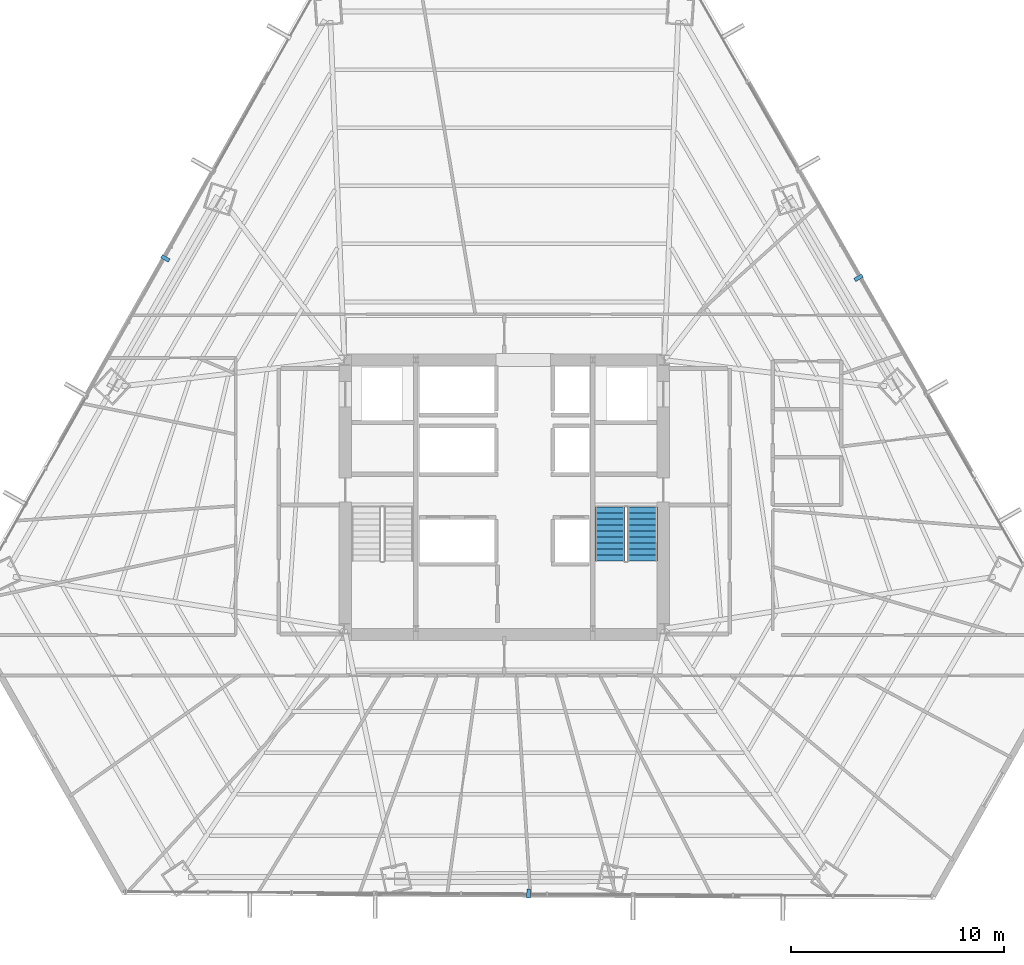
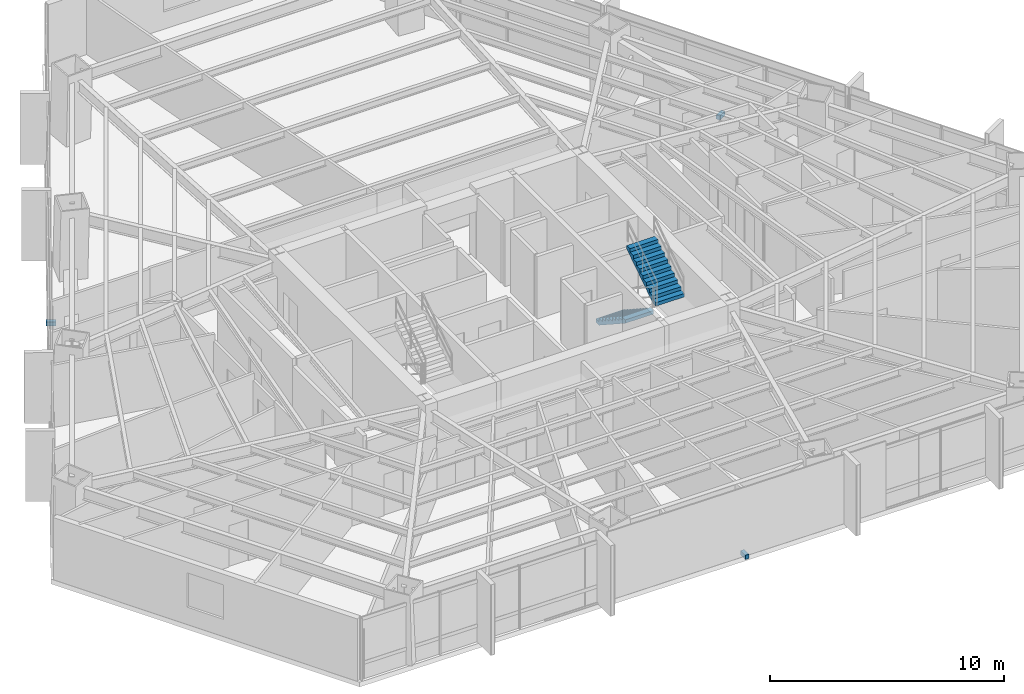
# One storey, part 36 of 39: 3 discrete accessories, 2 stair flights, 1 element without a shape of its own.
"""IFC4 building model written with IfcOpenShell, lengths in metres."""

from ifc_helpers import new_model, si_unit, direction, frame, origin, origin_2d, place, context, subcontext, project, spatial, polyline, rectangle, outline, extrude, source, transform, mapped, material, type_object, type_shapes, element, aggregate, save


model = new_model("IFC4")

# Units and contexts
model_context = context("Model", 3, precision=1e-05, world=origin(), true_north=direction((0.0, 1.0)))
body_context = subcontext(model_context, "Body", "Model", "MODEL_VIEW")
ifc_project = project(units=[si_unit("LENGTHUNIT", "METRE"), si_unit("AREAUNIT", "SQUARE_METRE"), si_unit("VOLUMEUNIT", "CUBIC_METRE"), si_unit("PLANEANGLEUNIT", "RADIAN"), si_unit("MASSUNIT", "GRAM", prefix="KILO")], contexts=[model_context])

# Site, building, storey
site_placement = place(None, origin())
site = spatial("IfcSite", under=ifc_project, at=site_placement, CompositionType="ELEMENT")
building_placement = place(site_placement, origin())
building = spatial("IfcBuilding", under=site, at=building_placement, Name="Caelisora Broadcast Tower", CompositionType="ELEMENT")
storey_placement = place(building_placement, frame((0.0, 0.0, 71.39990234375)))
storey = spatial("IfcBuildingStorey", under=building, at=storey_placement, Name="L18", CompositionType="ELEMENT", Elevation=71.39990234375)

# Stair, stair flights
ifc_material_1 = material(Name="Concrete 40 MPa (AS 3600 N40)", Category="concrete")
stair_type = type_object("IfcStairType", Name="ST-2", PredefinedType="HALF_TURN_STAIR", material=ifc_material_1)
stair_placement = place(storey_placement, origin())
stair = element("IfcStair", 1, at=stair_placement, inside=storey, type_object=stair_type, Name="L18 East Fire-Isolated Tower Stair", PredefinedType="HALF_TURN_STAIR")
stair_flight_type = type_object("IfcStairFlightType", Name="STF-2", PredefinedType="STRAIGHT", material=ifc_material_1)
stair_flight_1_placement = place(storey_placement, frame((42.9599609375, 23.10009765625, 0.0), z_axis=(0.0, 0.0, 1.0), x_axis=(0.0, -1.0, 0.0)))
stair_flight_1 = element("IfcStairFlight", 2, at=stair_flight_1_placement, type_object=stair_flight_type, Name="ST-2 flight 1", NumberOfRisers=10, NumberOfTreads=9, PredefinedType="STRAIGHT", RiserHeight=0.1825, TreadLength=0.28, context=body_context, shape_type="SweptSolid", body=[
    extrude(outline(polyline([(0.0, 0.0), (0.0, 0.1826171875), (0.280029296875, 0.1826171875), (0.280029296875, 0.364990234375), (0.56005859375, 0.364990234375), (0.56005859375, 0.547607421875), (0.840087890625, 0.547607421875), (0.840087890625, 0.72998046875), (1.1201171875, 0.72998046875), (1.1201171875, 0.91259765625), (1.39990234375, 0.91259765625), (1.39990234375, 1.094970703125), (1.679931640625, 1.094970703125), (1.679931640625, 1.277587890625), (1.9599609375, 1.277587890625), (1.9599609375, 1.4599609375), (2.239990234375, 1.4599609375), (2.239990234375, 1.642578125), (2.52001953125, 1.642578125), (2.52001953125, 1.824951171875), (2.52001953125, 1.463623046875), (0.2744140625, 0.0), (0.0, 0.0)])), frame((0.0, 0.699951171875, 0.0), z_axis=(0.0, -1.0, 0.0), x_axis=(1.0, 0.0, 0.0)), (0.0, 0.0, 1.0), 1.39990234375),
])
stair_flight_2_placement = place(storey_placement, frame((44.47998046875, 20.580078125, 1.8251953125), z_axis=(0.0, 0.0, 1.0), x_axis=(0.0, 1.0, 0.0)))
stair_flight_2 = element("IfcStairFlight", 3, at=stair_flight_2_placement, type_object=stair_flight_type, Name="ST-2 flight 2", NumberOfRisers=10, NumberOfTreads=9, PredefinedType="STRAIGHT", RiserHeight=0.1825, TreadLength=0.28, context=body_context, shape_type="SweptSolid", body=[
    extrude(outline(polyline([(0.0, 0.0), (0.0, 0.1826171875), (0.280029296875, 0.1826171875), (0.280029296875, 0.364990234375), (0.56005859375, 0.364990234375), (0.56005859375, 0.547607421875), (0.840087890625, 0.547607421875), (0.840087890625, 0.72998046875), (1.1201171875, 0.72998046875), (1.1201171875, 0.91259765625), (1.39990234375, 0.91259765625), (1.39990234375, 1.094970703125), (1.679931640625, 1.094970703125), (1.679931640625, 1.277587890625), (1.9599609375, 1.277587890625), (1.9599609375, 1.4599609375), (2.239990234375, 1.4599609375), (2.239990234375, 1.642578125), (2.52001953125, 1.642578125), (2.52001953125, 1.824951171875), (2.52001953125, 1.463623046875), (0.2744140625, 0.0), (0.0, 0.0)])), frame((0.0, 0.699951171875, 0.0), z_axis=(0.0, -1.0, 0.0), x_axis=(1.0, 0.0, 0.0)), (0.0, 0.0, 1.0), 1.39990234375),
])
aggregate(stair, [stair_flight_1, stair_flight_2])

# Discrete accessories
ifc_material_2 = material(Name="Steel Grade 350 (AS/NZS 3679.1)", Category="steel")
discrete_accessory_type = type_object("IfcDiscreteAccessoryType", Name="BRK-1", PredefinedType="BRACKET", material=ifc_material_2)
shared_shape = source(origin(), body_context, "Body", "SweptSolid", [
    extrude(rectangle(XDim=0.179931640625, YDim=0.419921875, at=origin_2d()), origin(), (0.0, 0.0, 1.0), 0.219970703125),
])
type_shapes(discrete_accessory_type, [shared_shape])
for number, where, z_axis, x_axis, name in (
    (4, (22.1005859375, 34.771484375, -0.15966796875), (0.0, 0.0, 1.0), (-0.491967775447, -0.870613408995, 0.0), "L18 solar screen outrigger bracket #1"),
    (5, (39.1435546875, 4.98046875, -0.15966796875), (0.0, 0.0, 1.0), (0.999985363169, -0.005410494284, 0.0), "L18 solar screen outrigger bracket #2"),
    (6, (54.622802734375, 33.862060546875, -0.15966796875), (0.0, 0.0, 1.0), (-0.49667102347, 0.867938877136, 0.0), "L18 solar screen outrigger bracket #3"),
):
    element("IfcDiscreteAccessory", number, at=place(storey_placement, frame(where, z_axis=z_axis, x_axis=x_axis)), inside=storey, type_object=discrete_accessory_type, Name=name, PredefinedType="BRACKET", context=body_context, shape_type="MappedRepresentation", body=[
        mapped(shared_shape, transform((0.0, 0.0, 0.0), scale=1.0)),
    ])

save(model, "model.ifc")
